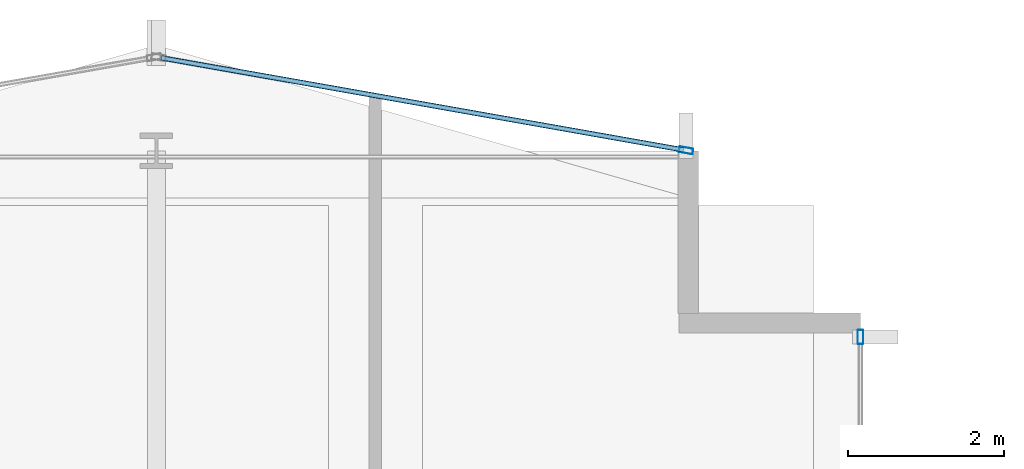
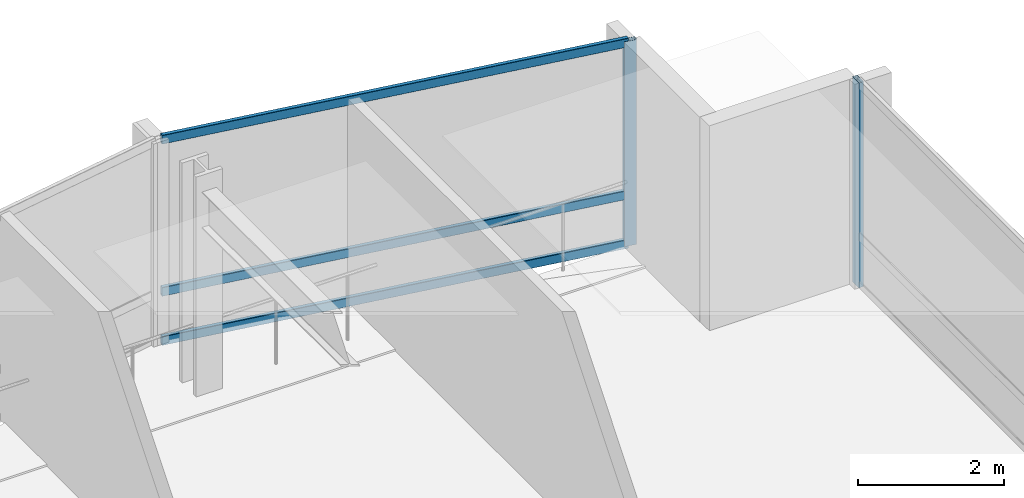
# One storey, part 20 of 28: 5 members, 2 elements without a shape of their own.
"""IFC4 building model written with IfcOpenShell, lengths in metres."""

from ifc_helpers import new_model, si_unit, direction, frame, origin, origin_2d, place, context, subcontext, project, spatial, hollow_rectangle, extrude, material, layer, layer_set, material_profile, profile_set, type_object, element, aggregate, save


model = new_model("IFC4")

# Units and contexts
model_context = context("Model", 3, precision=1e-05, world=origin(), true_north=direction((0.0, 1.0)))
body_context = subcontext(model_context, "Body", "Model", "MODEL_VIEW")
ifc_project = project(units=[si_unit("LENGTHUNIT", "METRE"), si_unit("AREAUNIT", "SQUARE_METRE"), si_unit("VOLUMEUNIT", "CUBIC_METRE"), si_unit("PLANEANGLEUNIT", "RADIAN"), si_unit("MASSUNIT", "GRAM", prefix="KILO")], contexts=[model_context])

# Site, building, storey
site_placement = place(None, origin())
site = spatial("IfcSite", under=ifc_project, at=site_placement, CompositionType="ELEMENT")
building_placement = place(site_placement, origin())
building = spatial("IfcBuilding", under=site, at=building_placement, Name="Solvaryn Broadcast Tower", CompositionType="ELEMENT")
storey_placement = place(building_placement, frame((0.0, 0.0, 132.199951171875)))
storey = spatial("IfcBuildingStorey", under=building, at=storey_placement, Name="L32", CompositionType="ELEMENT", Elevation=132.199951171875)

# Curtain wall, member
ifc_material_1 = material(Name="Aluminium and Terracotta Unitised Curtain Wall", Category="masonry")
ifc_layer = layer(ifc_material_1, 0.199951171875)
ifc_layer_set = layer_set([ifc_layer], Name="CW-SYS2-LOWMID")
curtain_wall_type = type_object("IfcCurtainWallType", Name="CW-SYS2-LOWMID", PredefinedType="NOTDEFINED", material=ifc_layer_set)
curtain_wall_1_placement = place(storey_placement, origin())
curtain_wall_1 = element("IfcCurtainWall", 1, at=curtain_wall_1_placement, inside=storey, type_object=curtain_wall_type, Name="L32 Curtain Wall IV", PredefinedType="NOTDEFINED")
ifc_material_2 = material(Name="Anodised Aluminium 6063-T6", Category="aluminium")
ifc_material_profile_1 = material_profile(ifc_material_2, hollow_rectangle(XDim=0.074951171875, YDim=0.179931640625, WallThickness=0.00390625, InnerFilletRadius=0.00390625, OuterFilletRadius=0.008056640625, at=origin_2d()))
ifc_profile_set_1 = profile_set([ifc_material_profile_1], Name="Anodised Aluminium 6063-T6")
member_type_1 = type_object("IfcMemberType", Name="CW-MUL-180", PredefinedType="MULLION", material=ifc_profile_set_1)
member_1_placement = place(storey_placement, frame((27.0, 51.6201171875, 0.0), z_axis=(0.0, 0.0, 1.0), x_axis=(1.0, 0.0, 0.0)))
member_1 = element("IfcMember", 2, at=member_1_placement, type_object=member_type_1, Name="CWS2 mullion 1", PredefinedType="MULLION", context=body_context, shape_type="SweptSolid", body=[
    extrude(hollow_rectangle(XDim=0.074951171875, YDim=0.179931640625, WallThickness=0.00390625, InnerFilletRadius=0.00390625, OuterFilletRadius=0.008056640625, at=origin_2d()), origin(), (0.0, 0.0, 1.0), 3.420166015625),
])
aggregate(curtain_wall_1, [member_1])

# Curtain wall, members
curtain_wall_2_placement = place(storey_placement, origin())
curtain_wall_2 = element("IfcCurtainWall", 3, at=curtain_wall_2_placement, inside=storey, type_object=curtain_wall_type, Name="L32 Curtain Wall NT1", PredefinedType="NOTDEFINED")
member_2_placement = place(storey_placement, frame((24.7705078125, 54.005126953125, 0.0), z_axis=(0.0, 0.0, 1.0), x_axis=(-0.173785333901, -0.984783558819, 0.0)))
member_2 = element("IfcMember", 4, at=member_2_placement, type_object=member_type_1, Name="CWS2 mullion 1", PredefinedType="MULLION", context=body_context, shape_type="SweptSolid", body=[
    extrude(hollow_rectangle(XDim=0.074951171875, YDim=0.179931640625, WallThickness=0.00390625, InnerFilletRadius=0.00390625, OuterFilletRadius=0.008056640625, at=origin_2d()), origin(), (0.0, 0.0, 1.0), 3.420166015625),
])
ifc_material_3 = material(Name="Anodised Aluminium 6063-T6", Category="aluminium")
ifc_material_profile_2 = material_profile(ifc_material_3, hollow_rectangle(XDim=0.06494140625, YDim=0.14990234375, WallThickness=0.00390625, InnerFilletRadius=0.00390625, OuterFilletRadius=0.008056640625, at=origin_2d()))
ifc_profile_set_2 = profile_set([ifc_material_profile_2], Name="Anodised Aluminium 6063-T6")
member_type_2 = type_object("IfcMemberType", Name="CW-TRN-150", PredefinedType="USERDEFINED", material=ifc_profile_set_2)
member_3_placement = place(storey_placement, frame((24.740966796875, 54.010498046875, 0.030029296875), z_axis=(-0.984788629673, 0.173756596613, 0.0), x_axis=(-0.173756596613, -0.984788629673, 0.0)))
member_3 = element("IfcMember", 5, at=member_3_placement, type_object=member_type_2, Name="CWS2 transom 1.1", ObjectType="TRANSOM", PredefinedType="USERDEFINED", context=body_context, shape_type="SweptSolid", body=[
    extrude(hollow_rectangle(XDim=0.06494140625, YDim=0.14990234375, WallThickness=0.00390625, InnerFilletRadius=0.00390625, OuterFilletRadius=0.008056640625, at=origin_2d()), origin(), (0.0, 0.0, 1.0), 6.78515625),
])
member_4_placement = place(storey_placement, frame((24.740966796875, 54.010498046875, 0.85009765625), z_axis=(-0.984788629673, 0.173756596613, 0.0), x_axis=(-0.173756596613, -0.984788629673, 0.0)))
member_4 = element("IfcMember", 6, at=member_4_placement, type_object=member_type_2, Name="CWS2 transom 1.2", ObjectType="TRANSOM", PredefinedType="USERDEFINED", context=body_context, shape_type="SweptSolid", body=[
    extrude(hollow_rectangle(XDim=0.06494140625, YDim=0.14990234375, WallThickness=0.00390625, InnerFilletRadius=0.00390625, OuterFilletRadius=0.008056640625, at=origin_2d()), origin(), (0.0, 0.0, 1.0), 6.78515625),
])
member_5_placement = place(storey_placement, frame((24.740966796875, 54.010498046875, 3.39013671875), z_axis=(-0.984788629673, 0.173756596613, 0.0), x_axis=(-0.173756596613, -0.984788629673, 0.0)))
member_5 = element("IfcMember", 7, at=member_5_placement, type_object=member_type_2, Name="CWS2 transom 1.3", ObjectType="TRANSOM", PredefinedType="USERDEFINED", context=body_context, shape_type="SweptSolid", body=[
    extrude(hollow_rectangle(XDim=0.06494140625, YDim=0.14990234375, WallThickness=0.00390625, InnerFilletRadius=0.00390625, OuterFilletRadius=0.008056640625, at=origin_2d()), origin(), (0.0, 0.0, 1.0), 6.78515625),
])
aggregate(curtain_wall_2, [member_2, member_3, member_4, member_5])

save(model, "model.ifc")
